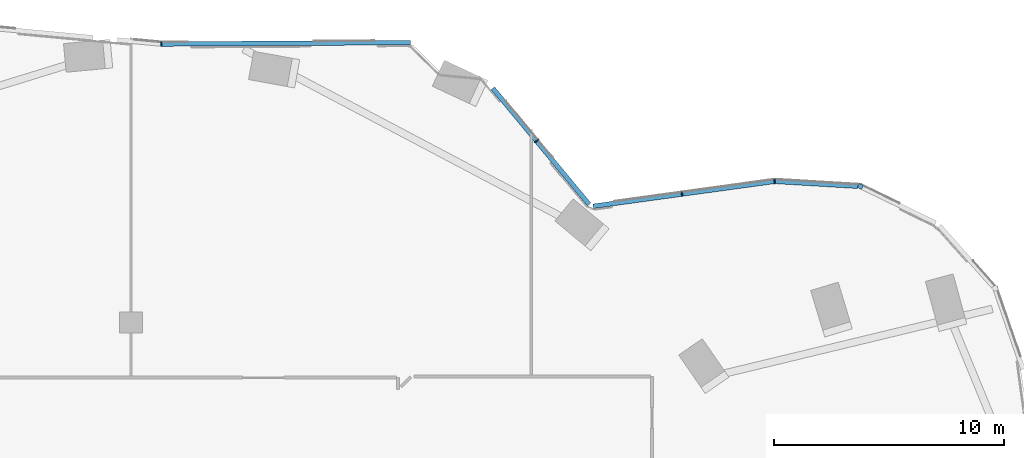
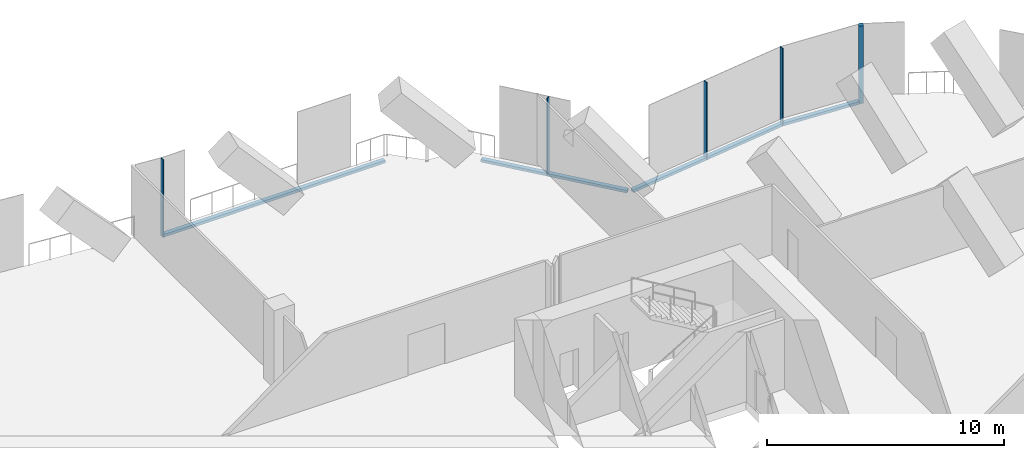
# One storey, part 11 of 29: 9 members, 5 elements without a shape of their own.
"""IFC4 building model written with IfcOpenShell, lengths in metres."""

from ifc_helpers import new_model, si_unit, direction, frame, origin, origin_2d, place, context, subcontext, project, spatial, rectangle, extrude, material, material_profile, profile_set, type_object, element, aggregate, save


model = new_model("IFC4")

# Units and contexts
model_context = context("Model", 3, precision=1e-05, world=origin(), true_north=direction((0.0, 1.0)))
body_context = subcontext(model_context, "Body", "Model", "MODEL_VIEW")
ifc_project = project(units=[si_unit("LENGTHUNIT", "METRE"), si_unit("AREAUNIT", "SQUARE_METRE"), si_unit("VOLUMEUNIT", "CUBIC_METRE"), si_unit("PLANEANGLEUNIT", "RADIAN"), si_unit("MASSUNIT", "GRAM", prefix="KILO")], contexts=[model_context])

# Site, building, storey
site_placement = place(None, origin())
site = spatial("IfcSite", under=ifc_project, at=site_placement, CompositionType="ELEMENT")
building_placement = place(site_placement, origin())
building = spatial("IfcBuilding", under=site, at=building_placement, Name="Orlundy Tower", CompositionType="ELEMENT")
storey_placement = place(building_placement, frame((0.0, 0.0, 184.60009765625)))
storey = spatial("IfcBuildingStorey", under=building, at=storey_placement, Name="L48", CompositionType="ELEMENT", Elevation=184.60009765625)

# Curtain wall, member
ifc_material_1 = material(Name="Aluminium bronze anodised", Category="aluminium")
curtain_wall_type = type_object("IfcCurtainWallType", Name="CW5 wall", PredefinedType="NOTDEFINED", material=ifc_material_1)
curtain_wall_1_placement = place(storey_placement, origin())
curtain_wall_1 = element("IfcCurtainWall", 1, at=curtain_wall_1_placement, inside=storey, type_object=curtain_wall_type, Name="CW5 run 018", PredefinedType="NOTDEFINED")
ifc_material_2 = material(Name="Aluminium bronze anodised", Category="aluminium")
ifc_material_profile_1 = material_profile(ifc_material_2, rectangle(XDim=0.199951171875, YDim=0.199951171875, at=origin_2d()), Name="CW5 corner post 200x200")
ifc_profile_set_1 = profile_set([ifc_material_profile_1], Name="Aluminium bronze anodised")
member_type_1 = type_object("IfcMemberType", Name="CW5 corner post 200x200", PredefinedType="MULLION", material=ifc_profile_set_1)
member_1_placement = place(storey_placement, frame((31.7109375, 23.916748046875, -0.420166015625), z_axis=(0.0, 0.0, 1.0), x_axis=(0.43725937423, 0.89933544334, 0.0)))
member_1 = element("IfcMember", 2, at=member_1_placement, type_object=member_type_1, Name="CW5 mullion 28", PredefinedType="MULLION", context=body_context, shape_type="SweptSolid", body=[
    extrude(rectangle(XDim=0.199951171875, YDim=0.199951171875, at=origin_2d()), origin(), (0.0, 0.0, 1.0), 4.0),
])
aggregate(curtain_wall_1, [member_1])

curtain_wall_2_placement = place(storey_placement, origin())
curtain_wall_2 = element("IfcCurtainWall", 3, at=curtain_wall_2_placement, inside=storey, type_object=curtain_wall_type, Name="CW5 run 012", PredefinedType="NOTDEFINED")
ifc_material_3 = material(Name="Aluminium bronze anodised", Category="aluminium")
ifc_material_profile_2 = material_profile(ifc_material_3, rectangle(XDim=0.199951171875, YDim=0.050048828125, at=origin_2d()), Name="CW5 mullion 50x200")
ifc_profile_set_2 = profile_set([ifc_material_profile_2], Name="Aluminium bronze anodised")
member_type_2 = type_object("IfcMemberType", Name="CW5 mullion 50x200", PredefinedType="MULLION", material=ifc_profile_set_2)
member_2_placement = place(storey_placement, frame((1.3134765625, 30.10791015625, -0.420166015625), z_axis=(0.0, 0.0, 1.0), x_axis=(0.043608381888, 0.999048702031, 0.0)))
member_2 = element("IfcMember", 4, at=member_2_placement, type_object=member_type_2, Name="CW5 mullion 19", PredefinedType="MULLION", context=body_context, shape_type="SweptSolid", body=[
    extrude(rectangle(XDim=0.199951171875, YDim=0.050048828125, at=origin_2d()), origin(), (0.0, 0.0, 1.0), 4.0),
])

curtain_wall_3_placement = place(storey_placement, origin())
curtain_wall_3 = element("IfcCurtainWall", 5, at=curtain_wall_3_placement, inside=storey, type_object=curtain_wall_type, Name="CW5 run 015", PredefinedType="NOTDEFINED")
member_3_placement = place(storey_placement, frame((17.634521484375, 25.888427734375, -0.420166015625), z_axis=(0.0, 0.0, 1.0), x_axis=(0.769823388561, 0.638256962692, 0.0)))
member_3 = element("IfcMember", 6, at=member_3_placement, type_object=member_type_2, Name="CW5 mullion 24", PredefinedType="MULLION", context=body_context, shape_type="SweptSolid", body=[
    extrude(rectangle(XDim=0.199951171875, YDim=0.050048828125, at=origin_2d()), origin(), (0.0, 0.0, 1.0), 4.0),
])

curtain_wall_4_placement = place(storey_placement, origin())
curtain_wall_4 = element("IfcCurtainWall", 7, at=curtain_wall_4_placement, inside=storey, type_object=curtain_wall_type, Name="CW5 run 016", PredefinedType="NOTDEFINED")
member_4_placement = place(storey_placement, frame((23.955810546875, 23.5849609375, -0.420166015625), z_axis=(0.0, 0.0, 1.0), x_axis=(-0.136186559942, 0.99068320915, 0.0)))
member_4 = element("IfcMember", 8, at=member_4_placement, type_object=member_type_2, Name="CW5 mullion 26", PredefinedType="MULLION", context=body_context, shape_type="SweptSolid", body=[
    extrude(rectangle(XDim=0.199951171875, YDim=0.050048828125, at=origin_2d()), origin(), (0.0, 0.0, 1.0), 4.0),
])

curtain_wall_5_placement = place(storey_placement, origin())
curtain_wall_5 = element("IfcCurtainWall", 9, at=curtain_wall_5_placement, inside=storey, type_object=curtain_wall_type, Name="CW5 run 017", PredefinedType="NOTDEFINED")
member_5_placement = place(storey_placement, frame((27.981201171875, 24.138427734375, -0.420166015625), z_axis=(0.0, 0.0, 1.0), x_axis=(-0.038601180685, 0.999254696686, 0.0)))
member_5 = element("IfcMember", 10, at=member_5_placement, type_object=member_type_2, Name="CW5 mullion 27", PredefinedType="MULLION", context=body_context, shape_type="SweptSolid", body=[
    extrude(rectangle(XDim=0.199951171875, YDim=0.050048828125, at=origin_2d()), origin(), (0.0, 0.0, 1.0), 4.0),
])

# Member
ifc_material_4 = material(Name="Aluminium bronze anodised", Category="aluminium")
ifc_material_profile_3 = material_profile(ifc_material_4, rectangle(XDim=0.199951171875, YDim=0.139892578125, at=origin_2d()), Name="CW5 transom 200x140")
ifc_profile_set_3 = profile_set([ifc_material_profile_3], Name="Aluminium bronze anodised")
member_type_3 = type_object("IfcMemberType", Name="CW5 transom 200x140", PredefinedType="USERDEFINED", material=ifc_profile_set_3)
member_6_placement = place(storey_placement, frame((1.33837890625, 30.108154296875, -0.35009765625), z_axis=(0.999982901932, 0.005847721192, 0.0), x_axis=(-0.005847721192, 0.999982901932, 0.0)))
member_6 = element("IfcMember", 11, at=member_6_placement, type_object=member_type_3, Name="CW5 transom", ObjectType="TRANSOM", PredefinedType="USERDEFINED", context=body_context, shape_type="SweptSolid", body=[
    extrude(rectangle(XDim=0.199951171875, YDim=0.139892578125, at=origin_2d()), origin(), (0.0, 0.0, 1.0), 10.813232421875),
])

aggregate(curtain_wall_2, [member_2, member_6])

member_7_placement = place(storey_placement, frame((15.729736328125, 28.185791015625, -0.35009765625), z_axis=(0.638262245891, -0.769819008254, 0.0), x_axis=(0.769819008254, 0.638262245891, 0.0)))
member_7 = element("IfcMember", 12, at=member_7_placement, type_object=member_type_3, Name="CW5 transom", ObjectType="TRANSOM", PredefinedType="USERDEFINED", context=body_context, shape_type="SweptSolid", body=[
    extrude(rectangle(XDim=0.199951171875, YDim=0.139892578125, at=origin_2d()), origin(), (0.0, 0.0, 1.0), 6.565673828125),
])

aggregate(curtain_wall_3, [member_3, member_7])

member_8_placement = place(storey_placement, frame((20.094482421875, 23.05419921875, -0.35009765625), z_axis=(0.990682057092, 0.136194940275, 0.0), x_axis=(-0.136194940275, 0.990682057092, 0.0)))
member_8 = element("IfcMember", 13, at=member_8_placement, type_object=member_type_3, Name="CW5 transom", ObjectType="TRANSOM", PredefinedType="USERDEFINED", context=body_context, shape_type="SweptSolid", body=[
    extrude(rectangle(XDim=0.199951171875, YDim=0.139892578125, at=origin_2d()), origin(), (0.0, 0.0, 1.0), 7.935791015625),
])

aggregate(curtain_wall_4, [member_4, member_8])

member_9_placement = place(storey_placement, frame((28.006103515625, 24.136962890625, -0.35009765625), z_axis=(0.998236786175, -0.05935754987, 0.0), x_axis=(0.05935754987, 0.998236786175, 0.0)))
member_9 = element("IfcMember", 14, at=member_9_placement, type_object=member_type_3, Name="CW5 transom", ObjectType="TRANSOM", PredefinedType="USERDEFINED", context=body_context, shape_type="SweptSolid", body=[
    extrude(rectangle(XDim=0.199951171875, YDim=0.139892578125, at=origin_2d()), origin(), (0.0, 0.0, 1.0), 3.60302734375),
])

aggregate(curtain_wall_5, [member_5, member_9])

save(model, "model.ifc")
